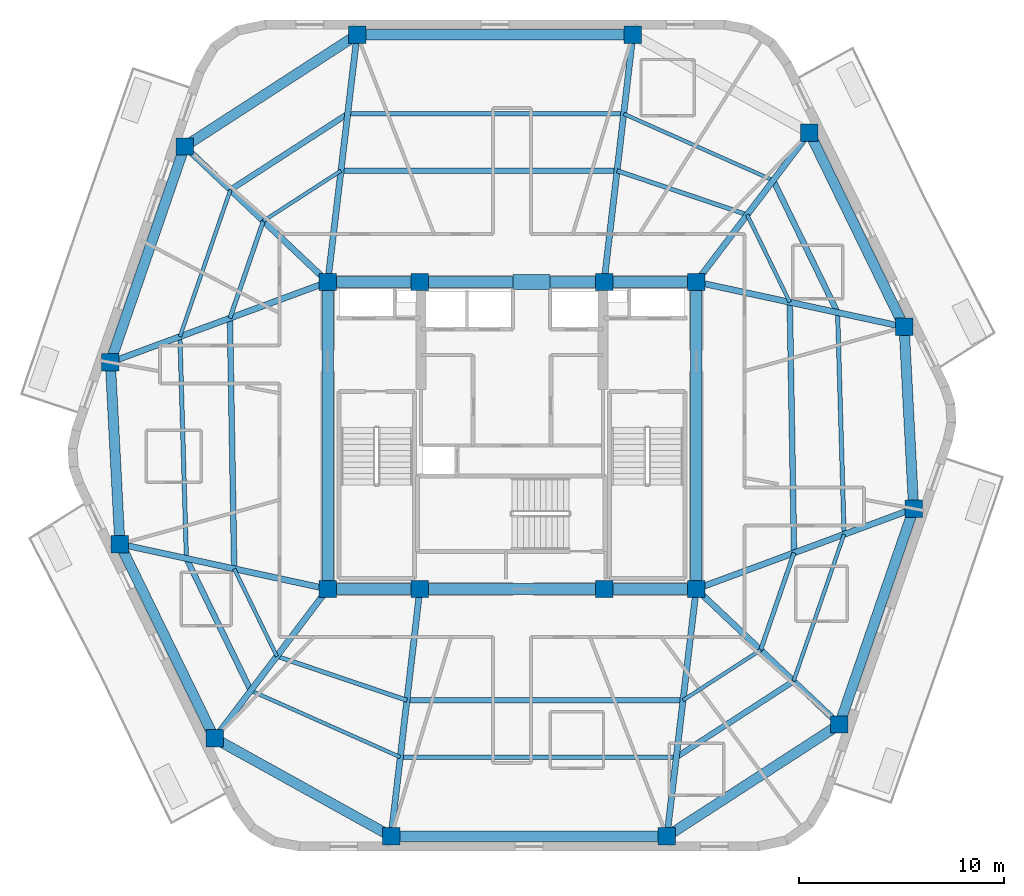
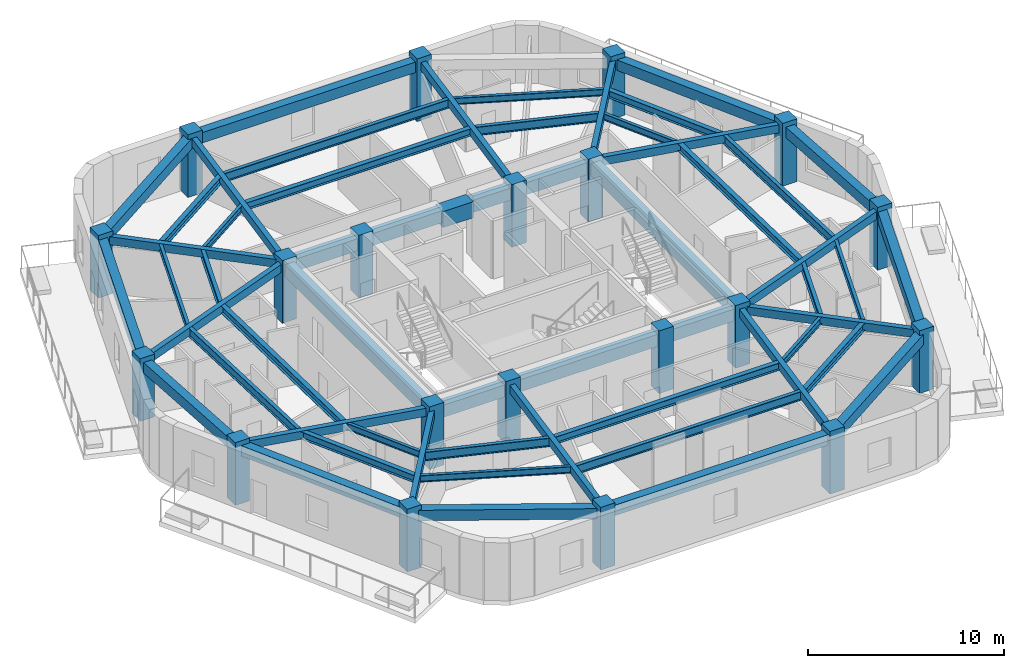
# One storey, part 1 of 9: 56 beams, 20 columns.
"""IFC4 building model written with IfcOpenShell, lengths in metres."""

from ifc_helpers import new_model, si_unit, direction, frame, origin, origin_2d, place, context, subcontext, project, spatial, rectangle, i_section, extrude, material, material_profile, profile_set, type_object, element, save


model = new_model("IFC4")

# Units and contexts
model_context = context("Model", 3, precision=1e-05, world=origin(), true_north=direction((0.0, 1.0)))
body_context = subcontext(model_context, "Body", "Model", "MODEL_VIEW")
ifc_project = project(units=[si_unit("LENGTHUNIT", "METRE"), si_unit("AREAUNIT", "SQUARE_METRE"), si_unit("VOLUMEUNIT", "CUBIC_METRE"), si_unit("PLANEANGLEUNIT", "RADIAN"), si_unit("MASSUNIT", "GRAM", prefix="KILO")], contexts=[model_context])

# Site, building, storey
site_placement = place(None, origin())
site = spatial("IfcSite", under=ifc_project, at=site_placement, CompositionType="ELEMENT")
building_placement = place(site_placement, origin())
building = spatial("IfcBuilding", under=site, at=building_placement, Name="Kilnhurst Terrace Hotel", CompositionType="ELEMENT")
storey_placement = place(building_placement, frame((0.0, 0.0, 276.89990234375)))
storey = spatial("IfcBuildingStorey", under=building, at=storey_placement, Name="L69", CompositionType="ELEMENT", Elevation=276.89990234375)

# Columns
ifc_material_1 = material(Name="Concrete C60/75", Category="concrete")
ifc_material_profile_1 = material_profile(ifc_material_1, rectangle(XDim=0.85009765625, YDim=0.85009765625, at=origin_2d()), Name="RC850X850")
ifc_profile_set_1 = profile_set([ifc_material_profile_1], Name="Concrete C60/75")
column_type = type_object("IfcColumnType", Name="COL-RC-850", PredefinedType="COLUMN", material=ifc_profile_set_1)
for number, where, z_axis, x_axis, name in (
    (1, (-9.0, -7.5, 0.0), (0.0, 0.0, 1.0), (1.0, 0.0, 0.0), "L69 Structural Column CC-SW"),
    (2, (-4.5, -7.5, 0.0), (0.0, 0.0, 1.0), (1.0, 0.0, 0.0), "L69 Structural Column CC-SC1"),
    (3, (4.5, -7.5, 0.0), (0.0, 0.0, 1.0), (1.0, 0.0, 0.0), "L69 Structural Column CC-SC2"),
    (4, (9.0, -7.5, 0.0), (0.0, 0.0, 1.0), (1.0, 0.0, 0.0), "L69 Structural Column CC-SE"),
    (5, (9.0, 7.5, 0.0), (0.0, 0.0, 1.0), (1.0, 0.0, 0.0), "L69 Structural Column CC-NE"),
    (6, (4.5, 7.5, 0.0), (0.0, 0.0, 1.0), (1.0, 0.0, 0.0), "L69 Structural Column CC-NC2"),
    (7, (-4.5, 7.5, 0.0), (0.0, 0.0, 1.0), (1.0, 0.0, 0.0), "L69 Structural Column CC-NC1"),
    (8, (-9.0, 7.5, 0.0), (0.0, 0.0, 1.0), (1.0, 0.0, 0.0), "L69 Structural Column CC-NW"),
    (9, (-5.907958984375, -19.580078125, 0.0), (0.0, 0.0, 1.0), (1.0, 0.0, 0.0), "L69 Structural Column PC-F11"),
    (10, (7.569091796875, -19.580078125, 0.0), (0.0, 0.0, 1.0), (1.0, 0.0, 0.0), "L69 Structural Column PC-F12"),
    (11, (15.9951171875, -14.12109375, 0.0), (0.0, 0.0, 1.0), (1.0, 0.0, 0.0), "L69 Structural Column PC-F21"),
    (12, (19.6240234375, -3.573974609375, 0.0), (0.0, 0.0, 1.0), (1.0, 0.0, 0.0), "L69 Structural Column PC-F22"),
    (13, (19.157958984375, 5.304931640625, 0.0), (0.0, 0.0, 1.0), (1.0, 0.0, 0.0), "L69 Structural Column PC-F31"),
    (14, (14.531005859375, 14.798095703125, 0.0), (0.0, 0.0, 1.0), (1.0, 0.0, 0.0), "L69 Structural Column PC-F32"),
    (15, (5.907958984375, 19.580078125, 0.0), (0.0, 0.0, 1.0), (1.0, 0.0, 0.0), "L69 Structural Column PC-F41"),
    (16, (-7.569091796875, 19.580078125, 0.0), (0.0, 0.0, 1.0), (1.0, 0.0, 0.0), "L69 Structural Column PC-F42"),
    (17, (-15.9951171875, 14.12109375, 0.0), (0.0, 0.0, 1.0), (1.0, 0.0, 0.0), "L69 Structural Column PC-F51"),
    (18, (-19.6240234375, 3.573974609375, 0.0), (0.0, 0.0, 1.0), (1.0, 0.0, 0.0), "L69 Structural Column PC-F52"),
    (19, (-19.157958984375, -5.304931640625, 0.0), (0.0, 0.0, 1.0), (1.0, 0.0, 0.0), "L69 Structural Column PC-F61"),
    (20, (-14.531005859375, -14.798095703125, 0.0), (0.0, 0.0, 1.0), (1.0, 0.0, 0.0), "L69 Structural Column PC-F62"),
):
    element("IfcColumn", number, at=place(storey_placement, frame(where, z_axis=z_axis, x_axis=x_axis)), inside=storey, type_object=column_type, Name=name, PredefinedType="COLUMN", context=body_context, shape_type="SweptSolid", body=[
        extrude(rectangle(XDim=0.85009765625, YDim=0.85009765625, at=origin_2d()), origin(), (0.0, 0.0, 1.0), 3.900146484375),
    ])

# Beams
ifc_material_2 = material(Name="Concrete C50/60", Category="concrete")
ifc_material_profile_2 = material_profile(ifc_material_2, rectangle(XDim=0.300048828125, YDim=0.5, at=origin_2d()), Name="RC300X500")
ifc_profile_set_2 = profile_set([ifc_material_profile_2], Name="Concrete C50/60")
beam_type_1 = type_object("IfcBeamType", Name="BM-RAD-300X500", PredefinedType="BEAM", material=ifc_profile_set_2)
beam_1_placement = place(storey_placement, frame((-4.5, -7.5, 3.35009765625), z_axis=(-0.115768472001, -0.993276225876, 0.0), x_axis=(0.993276225876, -0.115768472001, 0.0)))
element("IfcBeam", 21, at=beam_1_placement, inside=storey, type_object=beam_type_1, Name="L69 Radial Floor Beam 1", PredefinedType="BEAM", context=body_context, shape_type="SweptSolid", body=[
    extrude(rectangle(XDim=0.300048828125, YDim=0.5, at=origin_2d()), origin(), (0.0, 0.0, 1.0), 12.161865234375),
])
beam_2_placement = place(storey_placement, frame((9.0, -7.5, 3.35009765625), z_axis=(-0.117629552811, -0.993057545314, 0.0), x_axis=(0.993057545314, -0.117629552811, 0.0)))
element("IfcBeam", 22, at=beam_2_placement, inside=storey, type_object=beam_type_1, Name="L69 Radial Floor Beam 2", PredefinedType="BEAM", context=body_context, shape_type="SweptSolid", body=[
    extrude(rectangle(XDim=0.300048828125, YDim=0.5, at=origin_2d()), origin(), (0.0, 0.0, 1.0), 12.16455078125),
])
beam_3_placement = place(storey_placement, frame((9.0, -7.5, 3.35009765625), z_axis=(0.726256338973, -0.687423981326, 0.0), x_axis=(0.687423981326, 0.726256338973, 0.0)))
element("IfcBeam", 23, at=beam_3_placement, inside=storey, type_object=beam_type_1, Name="L69 Radial Floor Beam 3", PredefinedType="BEAM", context=body_context, shape_type="SweptSolid", body=[
    extrude(rectangle(XDim=0.300048828125, YDim=0.5, at=origin_2d()), origin(), (0.0, 0.0, 1.0), 9.6318359375),
])
beam_4_placement = place(storey_placement, frame((9.0, -7.5, 3.35009765625), z_axis=(0.938001507479, 0.3466311757, 0.0), x_axis=(-0.3466311757, 0.938001507479, 0.0)))
element("IfcBeam", 24, at=beam_4_placement, inside=storey, type_object=beam_type_1, Name="L69 Radial Floor Beam 4", PredefinedType="BEAM", context=body_context, shape_type="SweptSolid", body=[
    extrude(rectangle(XDim=0.300048828125, YDim=0.5, at=origin_2d()), origin(), (0.0, 0.0, 1.0), 11.326171875),
])
beam_5_placement = place(storey_placement, frame((9.0, 7.5, 3.35009765625), z_axis=(0.977438945995, -0.211218149913, 0.0), x_axis=(0.211218149913, 0.977438945995, 0.0)))
element("IfcBeam", 25, at=beam_5_placement, inside=storey, type_object=beam_type_1, Name="L69 Radial Floor Beam 5", PredefinedType="BEAM", context=body_context, shape_type="SweptSolid", body=[
    extrude(rectangle(XDim=0.300048828125, YDim=0.5, at=origin_2d()), origin(), (0.0, 0.0, 1.0), 10.392333984375),
])
beam_6_placement = place(storey_placement, frame((9.0, 7.5, 3.35009765625), z_axis=(0.604006537698, 0.79697936135, 0.0), x_axis=(-0.79697936135, 0.604006537698, 0.0)))
element("IfcBeam", 26, at=beam_6_placement, inside=storey, type_object=beam_type_1, Name="L69 Radial Floor Beam 6", PredefinedType="BEAM", context=body_context, shape_type="SweptSolid", body=[
    extrude(rectangle(XDim=0.300048828125, YDim=0.5, at=origin_2d()), origin(), (0.0, 0.0, 1.0), 9.1572265625),
])
beam_7_placement = place(storey_placement, frame((4.5, 7.5, 3.35009765625), z_axis=(0.115768472001, 0.993276225876, 0.0), x_axis=(-0.993276225876, 0.115768472001, 0.0)))
element("IfcBeam", 27, at=beam_7_placement, inside=storey, type_object=beam_type_1, Name="L69 Radial Floor Beam 7", PredefinedType="BEAM", context=body_context, shape_type="SweptSolid", body=[
    extrude(rectangle(XDim=0.300048828125, YDim=0.5, at=origin_2d()), origin(), (0.0, 0.0, 1.0), 12.161865234375),
])
beam_8_placement = place(storey_placement, frame((-9.0, 7.5, 3.35009765625), z_axis=(0.117629552811, 0.993057545314, 0.0), x_axis=(-0.993057545314, 0.117629552811, 0.0)))
element("IfcBeam", 28, at=beam_8_placement, inside=storey, type_object=beam_type_1, Name="L69 Radial Floor Beam 8", PredefinedType="BEAM", context=body_context, shape_type="SweptSolid", body=[
    extrude(rectangle(XDim=0.300048828125, YDim=0.5, at=origin_2d()), origin(), (0.0, 0.0, 1.0), 12.16455078125),
])
beam_9_placement = place(storey_placement, frame((-9.0, 7.5, 3.35009765625), z_axis=(-0.726256338973, 0.687423981326, 0.0), x_axis=(-0.687423981326, -0.726256338973, 0.0)))
element("IfcBeam", 29, at=beam_9_placement, inside=storey, type_object=beam_type_1, Name="L69 Radial Floor Beam 9", PredefinedType="BEAM", context=body_context, shape_type="SweptSolid", body=[
    extrude(rectangle(XDim=0.300048828125, YDim=0.5, at=origin_2d()), origin(), (0.0, 0.0, 1.0), 9.6318359375),
])
beam_10_placement = place(storey_placement, frame((-9.0, 7.5, 3.35009765625), z_axis=(-0.938001507479, -0.3466311757, 0.0), x_axis=(0.3466311757, -0.938001507479, 0.0)))
element("IfcBeam", 30, at=beam_10_placement, inside=storey, type_object=beam_type_1, Name="L69 Radial Floor Beam 10", PredefinedType="BEAM", context=body_context, shape_type="SweptSolid", body=[
    extrude(rectangle(XDim=0.300048828125, YDim=0.5, at=origin_2d()), origin(), (0.0, 0.0, 1.0), 11.326171875),
])
beam_11_placement = place(storey_placement, frame((-9.0, -7.5, 3.35009765625), z_axis=(-0.977438945995, 0.211218149913, 0.0), x_axis=(-0.211218149913, -0.977438945995, 0.0)))
element("IfcBeam", 31, at=beam_11_placement, inside=storey, type_object=beam_type_1, Name="L69 Radial Floor Beam 11", PredefinedType="BEAM", context=body_context, shape_type="SweptSolid", body=[
    extrude(rectangle(XDim=0.300048828125, YDim=0.5, at=origin_2d()), origin(), (0.0, 0.0, 1.0), 10.392333984375),
])
beam_12_placement = place(storey_placement, frame((-9.0, -7.5, 3.35009765625), z_axis=(-0.604006537698, -0.79697936135, 0.0), x_axis=(0.79697936135, -0.604006537698, 0.0)))
element("IfcBeam", 32, at=beam_12_placement, inside=storey, type_object=beam_type_1, Name="L69 Radial Floor Beam 12", PredefinedType="BEAM", context=body_context, shape_type="SweptSolid", body=[
    extrude(rectangle(XDim=0.300048828125, YDim=0.5, at=origin_2d()), origin(), (0.0, 0.0, 1.0), 9.1572265625),
])
ifc_material_profile_3 = material_profile(ifc_material_2, rectangle(XDim=0.5, YDim=0.64990234375, at=origin_2d()), Name="RC500X650")
ifc_profile_set_3 = profile_set([ifc_material_profile_3], Name="Concrete C50/60")
beam_type_2 = type_object("IfcBeamType", Name="BM-SPN-500X650", PredefinedType="SPANDREL", material=ifc_profile_set_3)
beam_13_placement = place(storey_placement, frame((-5.907958984375, -19.580078125, 3.275146484375), z_axis=(1.0, 0.0, 0.0), x_axis=(0.0, 1.0, 0.0)))
element("IfcBeam", 33, at=beam_13_placement, inside=storey, type_object=beam_type_2, Name="L69 Perimeter Spandrel Beam 1", PredefinedType="SPANDREL", context=body_context, shape_type="SweptSolid", body=[
    extrude(rectangle(XDim=0.5, YDim=0.64990234375, at=origin_2d()), origin(), (0.0, 0.0, 1.0), 13.47705078125),
])
beam_14_placement = place(storey_placement, frame((7.569091796875, -19.580078125, 3.275146484375), z_axis=(0.839258818809, 0.543732135386, 0.0), x_axis=(-0.543732135386, 0.839258818809, 0.0)))
element("IfcBeam", 34, at=beam_14_placement, inside=storey, type_object=beam_type_2, Name="L69 Perimeter Spandrel Beam 2", PredefinedType="SPANDREL", context=body_context, shape_type="SweptSolid", body=[
    extrude(rectangle(XDim=0.5, YDim=0.64990234375, at=origin_2d()), origin(), (0.0, 0.0, 1.0), 10.039794921875),
])
beam_15_placement = place(storey_placement, frame((15.9951171875, -14.12109375, 3.275146484375), z_axis=(0.325347079026, 0.945594669068, 0.0), x_axis=(-0.945594669068, 0.325347079026, 0.0)))
element("IfcBeam", 35, at=beam_15_placement, inside=storey, type_object=beam_type_2, Name="L69 Perimeter Spandrel Beam 3", PredefinedType="SPANDREL", context=body_context, shape_type="SweptSolid", body=[
    extrude(rectangle(XDim=0.5, YDim=0.64990234375, at=origin_2d()), origin(), (0.0, 0.0, 1.0), 11.154052734375),
])
beam_16_placement = place(storey_placement, frame((19.6240234375, -3.573974609375, 3.275146484375), z_axis=(-0.052419034962, 0.998625177318, 0.0), x_axis=(-0.998625177318, -0.052419034962, 0.0)))
element("IfcBeam", 36, at=beam_16_placement, inside=storey, type_object=beam_type_2, Name="L69 Perimeter Spandrel Beam 4", PredefinedType="SPANDREL", context=body_context, shape_type="SweptSolid", body=[
    extrude(rectangle(XDim=0.5, YDim=0.64990234375, at=origin_2d()), origin(), (0.0, 0.0, 1.0), 8.89111328125),
])
beam_17_placement = place(storey_placement, frame((19.157958984375, 5.304931640625, 3.275146484375), z_axis=(-0.438128464895, 0.898912369616, 0.0), x_axis=(-0.898912369616, -0.438128464895, 0.0)))
element("IfcBeam", 37, at=beam_17_placement, inside=storey, type_object=beam_type_2, Name="L69 Perimeter Spandrel Beam 5", PredefinedType="SPANDREL", context=body_context, shape_type="SweptSolid", body=[
    extrude(rectangle(XDim=0.5, YDim=0.64990234375, at=origin_2d()), origin(), (0.0, 0.0, 1.0), 10.560791015625),
])
beam_18_placement = place(storey_placement, frame((5.907958984375, 19.580078125, 3.275146484375), z_axis=(-1.0, 0.0, 0.0), x_axis=(0.0, -1.0, 0.0)))
element("IfcBeam", 38, at=beam_18_placement, inside=storey, type_object=beam_type_2, Name="L69 Perimeter Spandrel Beam 7", PredefinedType="SPANDREL", context=body_context, shape_type="SweptSolid", body=[
    extrude(rectangle(XDim=0.5, YDim=0.64990234375, at=origin_2d()), origin(), (0.0, 0.0, 1.0), 13.47705078125),
])
beam_19_placement = place(storey_placement, frame((-7.569091796875, 19.580078125, 3.275146484375), z_axis=(-0.839258818809, -0.543732135386, 0.0), x_axis=(0.543732135386, -0.839258818809, 0.0)))
element("IfcBeam", 39, at=beam_19_placement, inside=storey, type_object=beam_type_2, Name="L69 Perimeter Spandrel Beam 8", PredefinedType="SPANDREL", context=body_context, shape_type="SweptSolid", body=[
    extrude(rectangle(XDim=0.5, YDim=0.64990234375, at=origin_2d()), origin(), (0.0, 0.0, 1.0), 10.039794921875),
])
beam_20_placement = place(storey_placement, frame((-15.9951171875, 14.12109375, 3.275146484375), z_axis=(-0.325347079026, -0.945594669068, 0.0), x_axis=(0.945594669068, -0.325347079026, 0.0)))
element("IfcBeam", 40, at=beam_20_placement, inside=storey, type_object=beam_type_2, Name="L69 Perimeter Spandrel Beam 9", PredefinedType="SPANDREL", context=body_context, shape_type="SweptSolid", body=[
    extrude(rectangle(XDim=0.5, YDim=0.64990234375, at=origin_2d()), origin(), (0.0, 0.0, 1.0), 11.154052734375),
])
beam_21_placement = place(storey_placement, frame((-19.6240234375, 3.573974609375, 3.275146484375), z_axis=(0.052419034962, -0.998625177318, 0.0), x_axis=(0.998625177318, 0.052419034962, 0.0)))
element("IfcBeam", 41, at=beam_21_placement, inside=storey, type_object=beam_type_2, Name="L69 Perimeter Spandrel Beam 10", PredefinedType="SPANDREL", context=body_context, shape_type="SweptSolid", body=[
    extrude(rectangle(XDim=0.5, YDim=0.64990234375, at=origin_2d()), origin(), (0.0, 0.0, 1.0), 8.89111328125),
])
beam_22_placement = place(storey_placement, frame((-19.157958984375, -5.304931640625, 3.275146484375), z_axis=(0.438128464895, -0.898912369616, 0.0), x_axis=(0.898912369616, 0.438128464895, 0.0)))
element("IfcBeam", 42, at=beam_22_placement, inside=storey, type_object=beam_type_2, Name="L69 Perimeter Spandrel Beam 11", PredefinedType="SPANDREL", context=body_context, shape_type="SweptSolid", body=[
    extrude(rectangle(XDim=0.5, YDim=0.64990234375, at=origin_2d()), origin(), (0.0, 0.0, 1.0), 10.560791015625),
])
beam_23_placement = place(storey_placement, frame((-14.531005859375, -14.798095703125, 3.275146484375), z_axis=(0.874527255888, -0.484976369227, 0.0), x_axis=(0.484976369227, 0.874527255888, 0.0)))
element("IfcBeam", 43, at=beam_23_placement, inside=storey, type_object=beam_type_2, Name="L69 Perimeter Spandrel Beam 12", PredefinedType="SPANDREL", context=body_context, shape_type="SweptSolid", body=[
    extrude(rectangle(XDim=0.5, YDim=0.64990234375, at=origin_2d()), origin(), (0.0, 0.0, 1.0), 9.8603515625),
])
ifc_material_profile_4 = material_profile(ifc_material_2, rectangle(XDim=0.550048828125, YDim=0.75, at=origin_2d()), Name="RC550X750")
ifc_profile_set_4 = profile_set([ifc_material_profile_4], Name="Concrete C50/60")
beam_type_3 = type_object("IfcBeamType", Name="BM-SPN-550X750", PredefinedType="SPANDREL", material=ifc_profile_set_4)
beam_24_placement = place(storey_placement, frame((-9.0, 7.5, 3.22509765625), z_axis=(1.0, 0.0, 0.0), x_axis=(0.0, 1.0, 0.0)))
element("IfcBeam", 44, at=beam_24_placement, inside=storey, type_object=beam_type_3, Name="L69 Core Tie Beam CC-NW to CC-NC1", PredefinedType="SPANDREL", context=body_context, shape_type="SweptSolid", body=[
    extrude(rectangle(XDim=0.550048828125, YDim=0.75, at=origin_2d()), origin(), (0.0, 0.0, 1.0), 4.5),
])
beam_25_placement = place(storey_placement, frame((-4.5, 7.5, 3.22509765625), z_axis=(1.0, 0.0, 0.0), x_axis=(0.0, 1.0, 0.0)))
element("IfcBeam", 45, at=beam_25_placement, inside=storey, type_object=beam_type_3, Name="L69 Core Tie Beam CC-NC1 to CC-NC2", PredefinedType="SPANDREL", context=body_context, shape_type="SweptSolid", body=[
    extrude(rectangle(XDim=0.550048828125, YDim=0.75, at=origin_2d()), origin(), (0.0, 0.0, 1.0), 9.0),
])
for number, where, z_axis, x_axis, name in (
    (46, (4.5, 7.5, 3.22509765625), (1.0, 0.0, 0.0), (0.0, 1.0, 0.0), "L69 Core Tie Beam CC-NC2 to CC-NE"),
    (47, (-9.0, -7.5, 3.22509765625), (1.0, 0.0, 0.0), (0.0, 1.0, 0.0), "L69 Core Tie Beam CC-SW to CC-SC1"),
):
    element("IfcBeam", number, at=place(storey_placement, frame(where, z_axis=z_axis, x_axis=x_axis)), inside=storey, type_object=beam_type_3, Name=name, PredefinedType="SPANDREL", context=body_context, shape_type="SweptSolid", body=[
        extrude(rectangle(XDim=0.550048828125, YDim=0.75, at=origin_2d()), origin(), (0.0, 0.0, 1.0), 4.5),
    ])
beam_26_placement = place(storey_placement, frame((-4.5, -7.5, 3.22509765625), z_axis=(1.0, 0.0, 0.0), x_axis=(0.0, 1.0, 0.0)))
element("IfcBeam", 48, at=beam_26_placement, inside=storey, type_object=beam_type_3, Name="L69 Core Tie Beam CC-SC1 to CC-SC2", PredefinedType="SPANDREL", context=body_context, shape_type="SweptSolid", body=[
    extrude(rectangle(XDim=0.550048828125, YDim=0.75, at=origin_2d()), origin(), (0.0, 0.0, 1.0), 9.0),
])
beam_27_placement = place(storey_placement, frame((4.5, -7.5, 3.22509765625), z_axis=(1.0, 0.0, 0.0), x_axis=(0.0, 1.0, 0.0)))
element("IfcBeam", 49, at=beam_27_placement, inside=storey, type_object=beam_type_3, Name="L69 Core Tie Beam CC-SC2 to CC-SE", PredefinedType="SPANDREL", context=body_context, shape_type="SweptSolid", body=[
    extrude(rectangle(XDim=0.550048828125, YDim=0.75, at=origin_2d()), origin(), (0.0, 0.0, 1.0), 4.5),
])
for number, where, z_axis, x_axis, name in (
    (50, (-9.0, -7.5, 3.22509765625), (0.0, 1.0, 0.0), (-1.0, 0.0, 0.0), "L69 Core Tie Beam CC-SW to CC-NW"),
    (51, (9.0, -7.5, 3.22509765625), (0.0, 1.0, 0.0), (-1.0, 0.0, 0.0), "L69 Core Tie Beam CC-SE to CC-NE"),
):
    element("IfcBeam", number, at=place(storey_placement, frame(where, z_axis=z_axis, x_axis=x_axis)), inside=storey, type_object=beam_type_3, Name=name, PredefinedType="SPANDREL", context=body_context, shape_type="SweptSolid", body=[
        extrude(rectangle(XDim=0.550048828125, YDim=0.75, at=origin_2d()), origin(), (0.0, 0.0, 1.0), 15.0),
    ])
ifc_material_3 = material(Name="Steel ASTM A992 Grade 50", Category="steel")
ifc_material_profile_5 = material_profile(ifc_material_3, i_section(OverallWidth=0.180908203125, OverallDepth=0.417236328125, WebThickness=0.010986328125, FlangeThickness=0.018310546875, at=origin_2d()), Name="W16X57")
ifc_profile_set_5 = profile_set([ifc_material_profile_5], Name="Steel ASTM A992 Grade 50")
beam_type_4 = type_object("IfcBeamType", Name="JST-STL-W16X57", PredefinedType="JOIST", material=ifc_profile_set_5)
beam_28_placement = place(storey_placement, frame((13.756591796875, -12.002197265625, 3.39111328125), z_axis=(0.325367628202, 0.945587598543, 0.0), x_axis=(-0.945587598543, 0.325367628202, 0.0)))
element("IfcBeam", 52, at=beam_28_placement, inside=storey, type_object=beam_type_4, Name="L69 Secondary Floor Steel Joist OUT.3", PredefinedType="JOIST", context=body_context, shape_type="SweptSolid", body=[
    extrude(i_section(OverallWidth=0.180908203125, OverallDepth=0.417236328125, WebThickness=0.010986328125, FlangeThickness=0.018310546875, at=origin_2d()), origin(), (0.0, 0.0, 1.0), 7.58447265625),
])
beam_29_placement = place(storey_placement, frame((12.760986328125, 12.462646484375, 3.39111328125), z_axis=(-0.913545640569, 0.406736232216, 0.0), x_axis=(-0.406736232216, -0.913545640569, 0.0)))
element("IfcBeam", 53, at=beam_29_placement, inside=storey, type_object=beam_type_4, Name="L69 Secondary Floor Steel Joist OUT.6", PredefinedType="JOIST", context=body_context, shape_type="SweptSolid", body=[
    extrude(i_section(OverallWidth=0.180908203125, OverallDepth=0.417236328125, WebThickness=0.010986328125, FlangeThickness=0.018310546875, at=origin_2d()), origin(), (0.0, 0.0, 1.0), 7.99462890625),
])
beam_30_placement = place(storey_placement, frame((-13.756591796875, 12.002197265625, 3.39111328125), z_axis=(-0.325367628202, -0.945587598543, 0.0), x_axis=(0.945587598543, -0.325367628202, 0.0)))
element("IfcBeam", 54, at=beam_30_placement, inside=storey, type_object=beam_type_4, Name="L69 Secondary Floor Steel Joist OUT.9", PredefinedType="JOIST", context=body_context, shape_type="SweptSolid", body=[
    extrude(i_section(OverallWidth=0.180908203125, OverallDepth=0.417236328125, WebThickness=0.010986328125, FlangeThickness=0.018310546875, at=origin_2d()), origin(), (0.0, 0.0, 1.0), 7.58447265625),
])
beam_31_placement = place(storey_placement, frame((-12.760986328125, -12.462646484375, 3.39111328125), z_axis=(0.913545640569, -0.406736232216, 0.0), x_axis=(0.406736232216, 0.913545640569, 0.0)))
element("IfcBeam", 55, at=beam_31_placement, inside=storey, type_object=beam_type_4, Name="L69 Secondary Floor Steel Joist OUT.12", PredefinedType="JOIST", context=body_context, shape_type="SweptSolid", body=[
    extrude(i_section(OverallWidth=0.180908203125, OverallDepth=0.417236328125, WebThickness=0.010986328125, FlangeThickness=0.018310546875, at=origin_2d()), origin(), (0.0, 0.0, 1.0), 7.99462890625),
])
beam_32_placement = place(storey_placement, frame((8.35595703125, -12.93603515625, 3.39111328125), z_axis=(0.839261215199, 0.543728436503, 0.0), x_axis=(-0.543728436503, 0.839261215199, 0.0)))
element("IfcBeam", 56, at=beam_32_placement, inside=storey, type_object=beam_type_4, Name="L69 Secondary Floor Steel Joist IN.2", PredefinedType="JOIST", context=body_context, shape_type="SweptSolid", body=[
    extrude(i_section(OverallWidth=0.180908203125, OverallDepth=0.417236328125, WebThickness=0.010986328125, FlangeThickness=0.018310546875, at=origin_2d()), origin(), (0.0, 0.0, 1.0), 4.51806640625),
])
beam_33_placement = place(storey_placement, frame((13.571044921875, 6.51220703125, 3.39111328125), z_axis=(-0.438107813647, 0.898922434708, 0.0), x_axis=(-0.898922434708, -0.438107813647, 0.0)))
element("IfcBeam", 57, at=beam_33_placement, inside=storey, type_object=beam_type_4, Name="L69 Secondary Floor Steel Joist IN.5", PredefinedType="JOIST", context=body_context, shape_type="SweptSolid", body=[
    extrude(i_section(OverallWidth=0.180908203125, OverallDepth=0.417236328125, WebThickness=0.010986328125, FlangeThickness=0.018310546875, at=origin_2d()), origin(), (0.0, 0.0, 1.0), 4.75244140625),
])
beam_34_placement = place(storey_placement, frame((-8.35595703125, 12.93603515625, 3.39111328125), z_axis=(-0.839261215199, -0.543728436503, 0.0), x_axis=(0.543728436503, -0.839261215199, 0.0)))
element("IfcBeam", 58, at=beam_34_placement, inside=storey, type_object=beam_type_4, Name="L69 Secondary Floor Steel Joist IN.8", PredefinedType="JOIST", context=body_context, shape_type="SweptSolid", body=[
    extrude(i_section(OverallWidth=0.180908203125, OverallDepth=0.417236328125, WebThickness=0.010986328125, FlangeThickness=0.018310546875, at=origin_2d()), origin(), (0.0, 0.0, 1.0), 4.51806640625),
])
beam_35_placement = place(storey_placement, frame((-13.571044921875, -6.51220703125, 3.39111328125), z_axis=(0.438107813647, -0.898922434708, 0.0), x_axis=(0.898922434708, 0.438107813647, 0.0)))
element("IfcBeam", 59, at=beam_35_placement, inside=storey, type_object=beam_type_4, Name="L69 Secondary Floor Steel Joist IN.11", PredefinedType="JOIST", context=body_context, shape_type="SweptSolid", body=[
    extrude(i_section(OverallWidth=0.180908203125, OverallDepth=0.417236328125, WebThickness=0.010986328125, FlangeThickness=0.018310546875, at=origin_2d()), origin(), (0.0, 0.0, 1.0), 4.75244140625),
])
ifc_material_profile_6 = material_profile(ifc_material_3, i_section(OverallWidth=0.279296875, OverallDepth=0.462890625, WebThickness=0.0107421875, FlangeThickness=0.017333984375, at=origin_2d()), Name="W18X76")
ifc_profile_set_6 = profile_set([ifc_material_profile_6], Name="Steel ASTM A992 Grade 50")
beam_type_5 = type_object("IfcBeamType", Name="JST-STL-W18X76", PredefinedType="JOIST", material=ifc_profile_set_6)
beam_36_placement = place(storey_placement, frame((8.02685546875, -15.71435546875, 3.3681640625), z_axis=(0.839257246669, 0.543734562001, 0.0), x_axis=(-0.543734562001, 0.839257246669, 0.0)))
element("IfcBeam", 60, at=beam_36_placement, inside=storey, type_object=beam_type_5, Name="L69 Secondary Floor Steel Joist OUT.2", PredefinedType="JOIST", context=body_context, shape_type="SweptSolid", body=[
    extrude(i_section(OverallWidth=0.279296875, OverallDepth=0.462890625, WebThickness=0.0107421875, FlangeThickness=0.017333984375, at=origin_2d()), origin(), (0.0, 0.0, 1.0), 6.8271484375),
])
beam_37_placement = place(storey_placement, frame((15.907470703125, 6.00732421875, 3.3681640625), z_axis=(-0.438147652742, 0.898903017237, 0.0), x_axis=(-0.898903017237, -0.438147652742, 0.0)))
element("IfcBeam", 61, at=beam_37_placement, inside=storey, type_object=beam_type_5, Name="L69 Secondary Floor Steel Joist OUT.5", PredefinedType="JOIST", context=body_context, shape_type="SweptSolid", body=[
    extrude(i_section(OverallWidth=0.279296875, OverallDepth=0.462890625, WebThickness=0.0107421875, FlangeThickness=0.017333984375, at=origin_2d()), origin(), (0.0, 0.0, 1.0), 7.181396484375),
])
beam_38_placement = place(storey_placement, frame((-8.02685546875, 15.71435546875, 3.3681640625), z_axis=(-0.839257246669, -0.543734562001, 0.0), x_axis=(0.543734562001, -0.839257246669, 0.0)))
element("IfcBeam", 62, at=beam_38_placement, inside=storey, type_object=beam_type_5, Name="L69 Secondary Floor Steel Joist OUT.8", PredefinedType="JOIST", context=body_context, shape_type="SweptSolid", body=[
    extrude(i_section(OverallWidth=0.279296875, OverallDepth=0.462890625, WebThickness=0.0107421875, FlangeThickness=0.017333984375, at=origin_2d()), origin(), (0.0, 0.0, 1.0), 6.8271484375),
])
beam_39_placement = place(storey_placement, frame((-15.907470703125, -6.00732421875, 3.3681640625), z_axis=(0.438147652742, -0.898903017237, 0.0), x_axis=(0.898903017237, 0.438147652742, 0.0)))
element("IfcBeam", 63, at=beam_39_placement, inside=storey, type_object=beam_type_5, Name="L69 Secondary Floor Steel Joist OUT.11", PredefinedType="JOIST", context=body_context, shape_type="SweptSolid", body=[
    extrude(i_section(OverallWidth=0.279296875, OverallDepth=0.462890625, WebThickness=0.0107421875, FlangeThickness=0.017333984375, at=origin_2d()), origin(), (0.0, 0.0, 1.0), 7.181396484375),
])
beam_40_placement = place(storey_placement, frame((-5.133544921875, -12.93603515625, 3.3681640625), z_axis=(1.0, 0.0, 0.0), x_axis=(0.0, 1.0, 0.0)))
element("IfcBeam", 64, at=beam_40_placement, inside=storey, type_object=beam_type_5, Name="L69 Secondary Floor Steel Joist IN.1", PredefinedType="JOIST", context=body_context, shape_type="SweptSolid", body=[
    extrude(i_section(OverallWidth=0.279296875, OverallDepth=0.462890625, WebThickness=0.0107421875, FlangeThickness=0.017333984375, at=origin_2d()), origin(), (0.0, 0.0, 1.0), 13.489501953125),
])
beam_41_placement = place(storey_placement, frame((13.78076171875, -5.7333984375, 3.3681640625), z_axis=(-0.01712337129, 0.99985338433, 0.0), x_axis=(-0.99985338433, -0.01712337129, 0.0)))
element("IfcBeam", 65, at=beam_41_placement, inside=storey, type_object=beam_type_5, Name="L69 Secondary Floor Steel Joist IN.4", PredefinedType="JOIST", context=body_context, shape_type="SweptSolid", body=[
    extrude(i_section(OverallWidth=0.279296875, OverallDepth=0.462890625, WebThickness=0.0107421875, FlangeThickness=0.017333984375, at=origin_2d()), origin(), (0.0, 0.0, 1.0), 12.247314453125),
])
beam_42_placement = place(storey_placement, frame((5.133544921875, 12.93603515625, 3.3681640625), z_axis=(-1.0, 0.0, 0.0), x_axis=(0.0, -1.0, 0.0)))
element("IfcBeam", 66, at=beam_42_placement, inside=storey, type_object=beam_type_5, Name="L69 Secondary Floor Steel Joist IN.7", PredefinedType="JOIST", context=body_context, shape_type="SweptSolid", body=[
    extrude(i_section(OverallWidth=0.279296875, OverallDepth=0.462890625, WebThickness=0.0107421875, FlangeThickness=0.017333984375, at=origin_2d()), origin(), (0.0, 0.0, 1.0), 13.489501953125),
])
beam_43_placement = place(storey_placement, frame((-13.78076171875, 5.7333984375, 3.3681640625), z_axis=(0.01712337129, -0.99985338433, 0.0), x_axis=(0.99985338433, 0.01712337129, 0.0)))
element("IfcBeam", 67, at=beam_43_placement, inside=storey, type_object=beam_type_5, Name="L69 Secondary Floor Steel Joist IN.10", PredefinedType="JOIST", context=body_context, shape_type="SweptSolid", body=[
    extrude(i_section(OverallWidth=0.279296875, OverallDepth=0.462890625, WebThickness=0.0107421875, FlangeThickness=0.017333984375, at=origin_2d()), origin(), (0.0, 0.0, 1.0), 12.247314453125),
])
ifc_material_profile_7 = material_profile(ifc_material_3, i_section(OverallWidth=0.2138671875, OverallDepth=0.549072265625, WebThickness=0.0146484375, FlangeThickness=0.023681640625, at=origin_2d()), Name="W21X93")
ifc_profile_set_7 = profile_set([ifc_material_profile_7], Name="Steel ASTM A992 Grade 50")
beam_type_6 = type_object("IfcBeamType", Name="JST-STL-W21X93", PredefinedType="JOIST", material=ifc_profile_set_7)
beam_44_placement = place(storey_placement, frame((-5.45751953125, -15.71435546875, 3.3251953125), z_axis=(1.0, 0.0, 0.0), x_axis=(0.0, 1.0, 0.0)))
element("IfcBeam", 68, at=beam_44_placement, inside=storey, type_object=beam_type_6, Name="L69 Secondary Floor Steel Joist OUT.1", PredefinedType="JOIST", context=body_context, shape_type="SweptSolid", body=[
    extrude(i_section(OverallWidth=0.2138671875, OverallDepth=0.549072265625, WebThickness=0.0146484375, FlangeThickness=0.023681640625, at=origin_2d()), origin(), (0.0, 0.0, 1.0), 13.484375),
])
beam_45_placement = place(storey_placement, frame((16.224365234375, -4.830322265625, 3.3251953125), z_axis=(-0.029227669324, 0.999572780415, 0.0), x_axis=(-0.999572780415, -0.029227669324, 0.0)))
element("IfcBeam", 69, at=beam_45_placement, inside=storey, type_object=beam_type_6, Name="L69 Secondary Floor Steel Joist OUT.4", PredefinedType="JOIST", context=body_context, shape_type="SweptSolid", body=[
    extrude(i_section(OverallWidth=0.2138671875, OverallDepth=0.549072265625, WebThickness=0.0146484375, FlangeThickness=0.023681640625, at=origin_2d()), origin(), (0.0, 0.0, 1.0), 10.84228515625),
])
beam_46_placement = place(storey_placement, frame((5.45751953125, 15.71435546875, 3.3251953125), z_axis=(-1.0, 0.0, 0.0), x_axis=(0.0, -1.0, 0.0)))
element("IfcBeam", 70, at=beam_46_placement, inside=storey, type_object=beam_type_6, Name="L69 Secondary Floor Steel Joist OUT.7", PredefinedType="JOIST", context=body_context, shape_type="SweptSolid", body=[
    extrude(i_section(OverallWidth=0.2138671875, OverallDepth=0.549072265625, WebThickness=0.0146484375, FlangeThickness=0.023681640625, at=origin_2d()), origin(), (0.0, 0.0, 1.0), 13.484375),
])
beam_47_placement = place(storey_placement, frame((-16.224365234375, 4.830322265625, 3.3251953125), z_axis=(0.029227669324, -0.999572780415, 0.0), x_axis=(0.999572780415, 0.029227669324, 0.0)))
element("IfcBeam", 71, at=beam_47_placement, inside=storey, type_object=beam_type_6, Name="L69 Secondary Floor Steel Joist OUT.10", PredefinedType="JOIST", context=body_context, shape_type="SweptSolid", body=[
    extrude(i_section(OverallWidth=0.2138671875, OverallDepth=0.549072265625, WebThickness=0.0146484375, FlangeThickness=0.023681640625, at=origin_2d()), origin(), (0.0, 0.0, 1.0), 10.84228515625),
])
beam_48_placement = place(storey_placement, frame((12.147705078125, -10.4794921875, 3.3251953125), z_axis=(0.325362511486, 0.94558935914, 0.0), x_axis=(-0.94558935914, 0.325362511486, 0.0)))
element("IfcBeam", 72, at=beam_48_placement, inside=storey, type_object=beam_type_6, Name="L69 Secondary Floor Steel Joist IN.3", PredefinedType="JOIST", context=body_context, shape_type="SweptSolid", body=[
    extrude(i_section(OverallWidth=0.2138671875, OverallDepth=0.549072265625, WebThickness=0.0146484375, FlangeThickness=0.023681640625, at=origin_2d()), origin(), (0.0, 0.0, 1.0), 5.019287109375),
])
beam_49_placement = place(storey_placement, frame((11.489013671875, 10.7841796875, 3.3251953125), z_axis=(-0.947180946302, 0.320699633555, 0.0), x_axis=(-0.320699633555, -0.947180946302, 0.0)))
element("IfcBeam", 73, at=beam_49_placement, inside=storey, type_object=beam_type_6, Name="L69 Secondary Floor Steel Joist IN.6", PredefinedType="JOIST", context=body_context, shape_type="SweptSolid", body=[
    extrude(i_section(OverallWidth=0.2138671875, OverallDepth=0.549072265625, WebThickness=0.0146484375, FlangeThickness=0.023681640625, at=origin_2d()), origin(), (0.0, 0.0, 1.0), 6.7099609375),
])
beam_50_placement = place(storey_placement, frame((-12.147705078125, 10.4794921875, 3.3251953125), z_axis=(-0.325362511486, -0.94558935914, 0.0), x_axis=(0.94558935914, -0.325362511486, 0.0)))
element("IfcBeam", 74, at=beam_50_placement, inside=storey, type_object=beam_type_6, Name="L69 Secondary Floor Steel Joist IN.9", PredefinedType="JOIST", context=body_context, shape_type="SweptSolid", body=[
    extrude(i_section(OverallWidth=0.2138671875, OverallDepth=0.549072265625, WebThickness=0.0146484375, FlangeThickness=0.023681640625, at=origin_2d()), origin(), (0.0, 0.0, 1.0), 5.019287109375),
])
beam_51_placement = place(storey_placement, frame((-11.489013671875, -10.7841796875, 3.3251953125), z_axis=(0.947180946302, -0.320699633555, 0.0), x_axis=(0.320699633555, 0.947180946302, 0.0)))
element("IfcBeam", 75, at=beam_51_placement, inside=storey, type_object=beam_type_6, Name="L69 Secondary Floor Steel Joist IN.12", PredefinedType="JOIST", context=body_context, shape_type="SweptSolid", body=[
    extrude(i_section(OverallWidth=0.2138671875, OverallDepth=0.549072265625, WebThickness=0.0146484375, FlangeThickness=0.023681640625, at=origin_2d()), origin(), (0.0, 0.0, 1.0), 6.7099609375),
])
ifc_material_profile_8 = material_profile(ifc_material_1, rectangle(XDim=0.75, YDim=1.0, at=origin_2d()), Name="RC750X1000")
ifc_profile_set_8 = profile_set([ifc_material_profile_8], Name="Concrete C60/75")
beam_type_7 = type_object("IfcBeamType", Name="LNT-CB-750X1000", PredefinedType="LINTEL", material=ifc_profile_set_8)
beam_52_placement = place(storey_placement, frame((0.050048828125, 7.5, 3.10009765625), z_axis=(1.0, 0.0, 0.0), x_axis=(0.0, 1.0, 0.0)))
element("IfcBeam", 76, at=beam_52_placement, inside=storey, type_object=beam_type_7, Name="L69 North Core Coupling Link Beam", PredefinedType="LINTEL", context=body_context, shape_type="SweptSolid", body=[
    extrude(rectangle(XDim=0.75, YDim=1.0, at=origin_2d()), origin(), (0.0, 0.0, 1.0), 1.800048828125),
])

save(model, "model.ifc")
